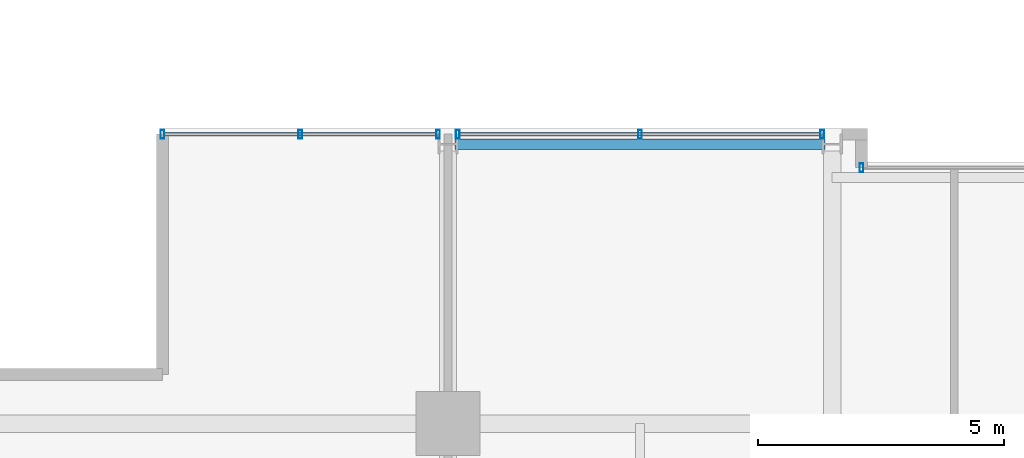
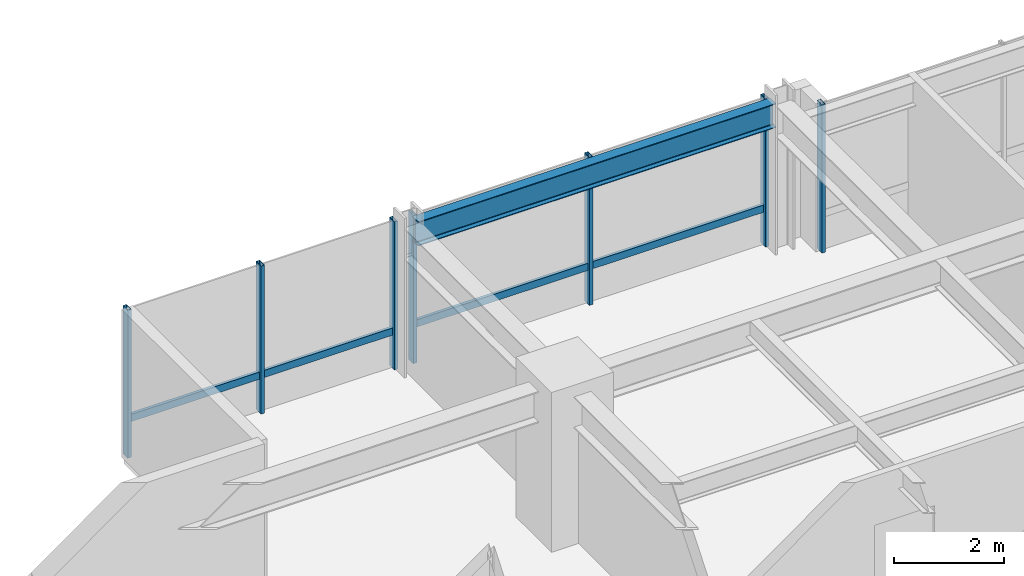
# One storey, part 21 of 34: 9 members, 1 beam, 3 elements without a shape of their own.
"""IFC4 building model written with IfcOpenShell, lengths in metres."""

import ifcopenshell
import ifcopenshell.guid

model = None  # the IFC model being written
_history = None  # IfcOwnerHistory: only IFC2X3 demands one
_inside = {}  # id of a spatial element -> (the spatial element, [elements in it])
_under = {}  # id of a project, library or spatial element -> (it, [spatial elements below it])
_declared = {}  # id of a project -> (the project, [libraries it declares])
_typed = {}  # id of a type object -> (the type object, [elements of that type])
_made_of = {}  # id of a material, layer set ... -> (it, [elements and type objects made of it])


def new_model(schema):
    """Start an empty IFC model of exactly this schema.

    Asked for "IFC4X3", IfcOpenShell would pick the latest addendum, in which some entities
    have other attributes; the version numbers below select the first issue.
    IFC2X3 requires an IfcOwnerHistory on every rooted entity: one is made here for all.
    """
    global model, _history
    if schema == "IFC4X3":
        model = ifcopenshell.file(schema_version=(4, 3, 0, 0))
    else:
        model = ifcopenshell.file(schema=schema)
    _inside.clear()
    _under.clear()
    _declared.clear()
    _typed.clear()
    _made_of.clear()
    _history = None
    if model.schema == "IFC2X3":
        org = make("IfcOrganization", Name="unknown")
        user = make(
            "IfcPersonAndOrganization",
            ThePerson=make("IfcPerson", FamilyName="unknown"),
            TheOrganization=org,
        )
        app = make(
            "IfcApplication",
            ApplicationDeveloper=org,
            Version="unknown",
            ApplicationFullName="unknown",
            ApplicationIdentifier="unknown",
        )
        _history = make(
            "IfcOwnerHistory",
            OwningUser=user,
            OwningApplication=app,
            ChangeAction="ADDED",
            CreationDate=0,
        )
    return model


def make(cls, **values):
    """One entity of the class cls with the attributes given. An attribute that is None is left unset."""
    return model.create_entity(
        cls, **{name: value for name, value in values.items() if value is not None}
    )


def rooted(cls, **values):
    """An entity with a GlobalId (a new one), such as an element, a storey or a relation."""
    return make(cls, GlobalId=ifcopenshell.guid.new(), OwnerHistory=_history, **values)


def si_unit(unit_type, name, prefix=None):
    """IfcSIUnit, for example si_unit("LENGTHUNIT", "METRE", prefix="MILLI")."""
    return make("IfcSIUnit", UnitType=unit_type, Prefix=prefix, Name=name)


def assignment(units):
    """IfcUnitAssignment: the units of a project."""
    return None if units is None else make("IfcUnitAssignment", Units=units)


def point(xyz):
    """IfcCartesianPoint."""
    return None if xyz is None else make("IfcCartesianPoint", Coordinates=xyz)


def direction(xyz):
    """IfcDirection."""
    return None if xyz is None else make("IfcDirection", DirectionRatios=xyz)


def frame(location, z_axis=None, x_axis=None):
    """IfcAxis2Placement3D, a coordinate frame: its origin and axes. An axis left out is left unset."""
    return make(
        "IfcAxis2Placement3D",
        Location=point(location),
        Axis=direction(z_axis),
        RefDirection=direction(x_axis),
    )


def frame_2d(location, x_axis=None):
    """IfcAxis2Placement2D, a coordinate frame in the plane: its origin and x axis."""
    return make(
        "IfcAxis2Placement2D", Location=point(location), RefDirection=direction(x_axis)
    )


def origin():
    """The frame at (0, 0, 0) with its axes left unset."""
    return frame((0.0, 0.0, 0.0))


def origin_2d():
    """The frame at (0, 0) in the plane with its x axis left unset."""
    return frame_2d((0.0, 0.0))


def place(relative_to, where):
    """IfcLocalPlacement: puts the frame where relative to a parent placement (None: the world)."""
    return make(
        "IfcLocalPlacement", PlacementRelTo=relative_to, RelativePlacement=where
    )


def context(
    kind, dimensions, precision=None, world=None, true_north=None, identifier=None
):
    """IfcGeometricRepresentationContext, for example the 3D "Model" context."""
    return make(
        "IfcGeometricRepresentationContext",
        ContextIdentifier=identifier,
        ContextType=kind,
        CoordinateSpaceDimension=dimensions,
        Precision=precision,
        WorldCoordinateSystem=world,
        TrueNorth=true_north,
    )


def subcontext(parent, identifier, kind, view, scale=None):
    """IfcGeometricRepresentationSubContext, for example "Body" below "Model"."""
    return make(
        "IfcGeometricRepresentationSubContext",
        ContextIdentifier=identifier,
        ContextType=kind,
        ParentContext=parent,
        TargetScale=scale,
        TargetView=view,
    )


def project(units=None, contexts=None):
    """IfcProject with its units and contexts."""
    return rooted(
        "IfcProject",
        Name="project",
        RepresentationContexts=contexts,
        UnitsInContext=assignment(units),
    )


def spatial(cls, under=None, at=None, **own):
    """A site, building, storey or space (cls), placed at a placement, below another one or the project."""
    s = rooted(cls, ObjectPlacement=at, **own)
    if under is not None:
        _under.setdefault(under.id(), (under, []))[1].append(s)
    return s


def profile(cls, at=None, kind="AREA", **sizes):
    """A parametric profile (cls). Its sizes go by their IFC names, for example OverallWidth=200.0."""
    return make(cls, ProfileType=kind, Position=at, **sizes)


def hollow_rectangle(**sizes):
    """IfcRectangleHollowProfileDef."""
    return profile("IfcRectangleHollowProfileDef", **sizes)


def i_section(**sizes):
    """IfcIShapeProfileDef."""
    return profile("IfcIShapeProfileDef", **sizes)


def extrude(swept, where, along, depth):
    """IfcExtrudedAreaSolid: the profile swept, set in the frame where, extruded along a direction by depth."""
    return make(
        "IfcExtrudedAreaSolid",
        SweptArea=swept,
        Position=where,
        ExtrudedDirection=direction(along),
        Depth=depth,
    )


def shape(context_of_items, identifier, shape_type, items):
    """IfcShapeRepresentation: the items that make up one representation, for example the "Body"."""
    return make(
        "IfcShapeRepresentation",
        ContextOfItems=context_of_items,
        RepresentationIdentifier=identifier,
        RepresentationType=shape_type,
        Items=items,
    )


def material(Name=None, Category=None):
    """IfcMaterial."""
    return make("IfcMaterial", Name=Name, Category=Category)


def layer(
    of_material, thickness, ventilated=None, Name=None, Category=None, Priority=None
):
    """IfcMaterialLayer: one layer of a wall or slab, of a material (None: an air gap)."""
    return make(
        "IfcMaterialLayer",
        Material=of_material,
        LayerThickness=thickness,
        IsVentilated=ventilated,
        Name=Name,
        Category=Category,
        Priority=Priority,
    )


def layer_set(layers, Name=None):
    """IfcMaterialLayerSet."""
    return make("IfcMaterialLayerSet", MaterialLayers=layers, LayerSetName=Name)


def material_profile(
    of_material, cross_section, Name=None, Category=None, Priority=None
):
    """IfcMaterialProfile: a cross section and its material."""
    return make(
        "IfcMaterialProfile",
        Name=Name,
        Material=of_material,
        Profile=cross_section,
        Priority=Priority,
        Category=Category,
    )


def profile_set(profiles, Name=None, composite=None):
    """IfcMaterialProfileSet."""
    return make(
        "IfcMaterialProfileSet",
        Name=Name,
        MaterialProfiles=profiles,
        CompositeProfile=composite,
    )


def made_of(thing, what):
    """Note that an element or type object is made of a material, layer set ...; save() writes the relation."""
    if what is not None:
        _made_of.setdefault(what.id(), (what, []))[1].append(thing)
    return thing


def type_object(cls, material=None, **own):
    """A type object (cls), such as IfcWallType, which elements share."""
    return made_of(rooted(cls, **own), material)


def element(
    cls,
    number,
    at=None,
    inside=None,
    cuts=None,
    type_object=None,
    material=None,
    context=None,
    identifier="Body",
    shape_type=None,
    held_by="IfcProductDefinitionShape",
    body=None,
    shapes=None,
    **own,
):
    """One element of the class cls, such as IfcWall. Its Tag is "e" and its number.

    at: its placement. inside: the storey or other place that contains it. cuts: it is an
    opening in that element (IfcRelVoidsElement). A single representation is given by context,
    identifier, shape_type and body (its items); several are given by shapes. held_by: the class
    of the entity that holds the representations. save() writes the other relations.
    """
    e = rooted(cls, Tag="e%d" % number, ObjectPlacement=at, **own)
    if body is not None:
        shapes = [shape(context, identifier, shape_type, body)]
    if shapes is not None:
        e.Representation = make(held_by, Representations=shapes)
    if inside is not None:
        _inside.setdefault(inside.id(), (inside, []))[1].append(e)
    if cuts is not None:
        rooted(
            "IfcRelVoidsElement", RelatingBuildingElement=cuts, RelatedOpeningElement=e
        )
    if type_object is not None:
        _typed.setdefault(type_object.id(), (type_object, []))[1].append(e)
    return made_of(e, material)


def aggregate(whole, parts):
    """IfcRelAggregates: a whole, such as a stair, and the parts it consists of."""
    return rooted("IfcRelAggregates", RelatingObject=whole, RelatedObjects=parts)


def save(model, path):
    """Write the relations noted so far, then the file.

    IfcRelAggregates (storeys below a building ...), IfcRelContainedInSpatialStructure (elements
    in a storey), IfcRelDefinesByType, IfcRelAssociatesMaterial and IfcRelDeclares: one each for
    every whole, place, type object, material and project.
    """
    for whole, parts in _under.values():
        aggregate(whole, parts)
    for where, things in _inside.values():
        rooted(
            "IfcRelContainedInSpatialStructure",
            RelatedElements=things,
            RelatingStructure=where,
        )
    for kind, things in _typed.values():
        rooted("IfcRelDefinesByType", RelatedObjects=things, RelatingType=kind)
    for what, things in _made_of.values():
        rooted("IfcRelAssociatesMaterial", RelatedObjects=things, RelatingMaterial=what)
    for by, libraries in _declared.values():
        rooted("IfcRelDeclares", RelatingContext=by, RelatedDefinitions=libraries)
    model.write(path)


model = new_model("IFC4")

# Units and contexts
model_context = context("Model", 3, precision=1e-05, world=origin(), true_north=direction((0.0, 1.0)))
body_context = subcontext(model_context, "Body", "Model", "MODEL_VIEW")
ifc_project = project(units=[si_unit("LENGTHUNIT", "METRE"), si_unit("AREAUNIT", "SQUARE_METRE"), si_unit("VOLUMEUNIT", "CUBIC_METRE"), si_unit("PLANEANGLEUNIT", "RADIAN"), si_unit("MASSUNIT", "GRAM", prefix="KILO")], contexts=[model_context])

# Site, building, storey
site_placement = place(None, origin())
site = spatial("IfcSite", under=ifc_project, at=site_placement, CompositionType="ELEMENT")
building_placement = place(site_placement, origin())
building = spatial("IfcBuilding", under=site, at=building_placement, Name="Drelvath Grand Hotel", CompositionType="ELEMENT")
storey_placement = place(building_placement, frame((0.0, 0.0, 175.25)))
storey = spatial("IfcBuildingStorey", under=building, at=storey_placement, Name="L45", CompositionType="ELEMENT", Elevation=175.25)

# Curtain wall, member
ifc_material_1 = material(Name="Brushed Pale-Silver Anodised Aluminium Frame", Category="aluminium")
ifc_layer = layer(ifc_material_1, 0.199951171875)
ifc_layer_set = layer_set([ifc_layer], Name="Brushed Pale-Silver Anodised Aluminium Frame")
curtain_wall_type = type_object("IfcCurtainWallType", Name="Stick Curtain Wall CW-04 Brushed Silver Upper-Mid", PredefinedType="NOTDEFINED", material=ifc_layer_set)
curtain_wall_1_placement = place(storey_placement, origin())
curtain_wall_1 = element("IfcCurtainWall", 1, at=curtain_wall_1_placement, inside=storey, type_object=curtain_wall_type, Name="L45 CW-04 Curtain Wall CW04-L45-NW1", PredefinedType="NOTDEFINED")
ifc_material_profile_1 = material_profile(ifc_material_1, hollow_rectangle(XDim=0.06494140625, YDim=0.159912109375, WallThickness=0.00390625, at=origin_2d()), Name="HSS160X65X4")
ifc_profile_set_1 = profile_set([ifc_material_profile_1], Name="Brushed Pale-Silver Anodised Aluminium Frame")
member_type_1 = type_object("IfcMemberType", Name="Curtain Wall Horizontal Transom CW-04 HSS160X65X4", PredefinedType="USERDEFINED", material=ifc_profile_set_1)
member_1_placement = place(storey_placement, frame((-21.9599609375, 49.080078125, 0.822509765625), z_axis=(1.0, 0.0, 0.0), x_axis=(0.0, 1.0, 0.0)))
member_1 = element("IfcMember", 2, at=member_1_placement, type_object=member_type_1, Name="CW04-L45-NW1 Sill Transom", ObjectType="TRANSOM", PredefinedType="USERDEFINED", context=body_context, shape_type="SweptSolid", body=[
    extrude(hollow_rectangle(XDim=0.06494140625, YDim=0.159912109375, WallThickness=0.00390625, at=origin_2d()), origin(), (0.0, 0.0, 1.0), 5.519775390625),
])

curtain_wall_2_placement = place(storey_placement, origin())
curtain_wall_2 = element("IfcCurtainWall", 3, at=curtain_wall_2_placement, inside=storey, type_object=curtain_wall_type, Name="L45 CW-04 Curtain Wall CW04-L45-NW2", PredefinedType="NOTDEFINED")
member_2_placement = place(storey_placement, frame((-15.9599609375, 49.080078125, 0.822509765625), z_axis=(1.0, 0.0, 0.0), x_axis=(0.0, 1.0, 0.0)))
member_2 = element("IfcMember", 4, at=member_2_placement, type_object=member_type_1, Name="CW04-L45-NW2 Sill Transom", ObjectType="TRANSOM", PredefinedType="USERDEFINED", context=body_context, shape_type="SweptSolid", body=[
    extrude(hollow_rectangle(XDim=0.06494140625, YDim=0.159912109375, WallThickness=0.00390625, at=origin_2d()), origin(), (0.0, 0.0, 1.0), 7.31982421875),
])

# Member
ifc_material_profile_2 = material_profile(ifc_material_1, hollow_rectangle(XDim=0.074951171875, YDim=0.179931640625, WallThickness=0.0048828125, at=origin_2d()), Name="HSS180X75X5")
ifc_profile_set_2 = profile_set([ifc_material_profile_2], Name="Brushed Pale-Silver Anodised Aluminium Frame")
member_type_2 = type_object("IfcMemberType", Name="Curtain Wall Vertical Mullion CW-04 HSS180X75X5", PredefinedType="MULLION", material=ifc_profile_set_2)
member_3_placement = place(storey_placement, frame((-22.0, 49.080078125, 0.0), z_axis=(0.0, 0.0, 1.0), x_axis=(1.0, 0.0, 0.0)))
member_3 = element("IfcMember", 5, at=member_3_placement, type_object=member_type_2, Name="CW04-L45-NW1 Mullion 1", PredefinedType="MULLION", context=body_context, shape_type="SweptSolid", body=[
    extrude(hollow_rectangle(XDim=0.074951171875, YDim=0.179931640625, WallThickness=0.0048828125, at=origin_2d()), origin(), (0.0, 0.0, 1.0), 3.2900390625),
])

member_4_placement = place(storey_placement, frame((-19.199951171875, 49.080078125, 0.0), z_axis=(0.0, 0.0, 1.0), x_axis=(1.0, 0.0, 0.0)))
member_4 = element("IfcMember", 6, at=member_4_placement, type_object=member_type_2, Name="CW04-L45-NW1 Mullion 2", PredefinedType="MULLION", context=body_context, shape_type="SweptSolid", body=[
    extrude(hollow_rectangle(XDim=0.074951171875, YDim=0.179931640625, WallThickness=0.0048828125, at=origin_2d()), origin(), (0.0, 0.0, 1.0), 3.2900390625),
])

member_5_placement = place(storey_placement, frame((-16.400146484375, 49.080078125, 0.0), z_axis=(0.0, 0.0, 1.0), x_axis=(1.0, 0.0, 0.0)))
member_5 = element("IfcMember", 7, at=member_5_placement, type_object=member_type_2, Name="CW04-L45-NW1 Mullion 3", PredefinedType="MULLION", context=body_context, shape_type="SweptSolid", body=[
    extrude(hollow_rectangle(XDim=0.074951171875, YDim=0.179931640625, WallThickness=0.0048828125, at=origin_2d()), origin(), (0.0, 0.0, 1.0), 3.2900390625),
])

aggregate(curtain_wall_1, [member_3, member_4, member_5, member_1])

member_6_placement = place(storey_placement, frame((-16.0, 49.080078125, 0.0), z_axis=(0.0, 0.0, 1.0), x_axis=(1.0, 0.0, 0.0)))
member_6 = element("IfcMember", 8, at=member_6_placement, type_object=member_type_2, Name="CW04-L45-NW2 Mullion 1", PredefinedType="MULLION", context=body_context, shape_type="SweptSolid", body=[
    extrude(hollow_rectangle(XDim=0.074951171875, YDim=0.179931640625, WallThickness=0.0048828125, at=origin_2d()), origin(), (0.0, 0.0, 1.0), 3.2900390625),
])

member_7_placement = place(storey_placement, frame((-12.300048828125, 49.080078125, 0.0), z_axis=(0.0, 0.0, 1.0), x_axis=(1.0, 0.0, 0.0)))
member_7 = element("IfcMember", 9, at=member_7_placement, type_object=member_type_2, Name="CW04-L45-NW2 Mullion 2", PredefinedType="MULLION", context=body_context, shape_type="SweptSolid", body=[
    extrude(hollow_rectangle(XDim=0.074951171875, YDim=0.179931640625, WallThickness=0.0048828125, at=origin_2d()), origin(), (0.0, 0.0, 1.0), 3.2900390625),
])

member_8_placement = place(storey_placement, frame((-8.60009765625, 49.080078125, 0.0), z_axis=(0.0, 0.0, 1.0), x_axis=(1.0, 0.0, 0.0)))
member_8 = element("IfcMember", 10, at=member_8_placement, type_object=member_type_2, Name="CW04-L45-NW2 Mullion 3", PredefinedType="MULLION", context=body_context, shape_type="SweptSolid", body=[
    extrude(hollow_rectangle(XDim=0.074951171875, YDim=0.179931640625, WallThickness=0.0048828125, at=origin_2d()), origin(), (0.0, 0.0, 1.0), 3.2900390625),
])

aggregate(curtain_wall_2, [member_6, member_7, member_8, member_2])

# Curtain wall, member
curtain_wall_3_placement = place(storey_placement, origin())
curtain_wall_3 = element("IfcCurtainWall", 11, at=curtain_wall_3_placement, inside=storey, type_object=curtain_wall_type, Name="L45 CW-04 Curtain Wall CW04-L45-NM1", PredefinedType="NOTDEFINED")
member_9_placement = place(storey_placement, frame((-7.800048828125, 48.39990234375, 0.0), z_axis=(0.0, 0.0, 1.0), x_axis=(1.0, 0.0, 0.0)))
member_9 = element("IfcMember", 12, at=member_9_placement, type_object=member_type_2, Name="CW04-L45-NM1 Mullion 1", PredefinedType="MULLION", context=body_context, shape_type="SweptSolid", body=[
    extrude(hollow_rectangle(XDim=0.074951171875, YDim=0.179931640625, WallThickness=0.0048828125, at=origin_2d()), origin(), (0.0, 0.0, 1.0), 3.2900390625),
])
aggregate(curtain_wall_3, [member_9])

# Beam
ifc_material_2 = material(Name="Steel ASTM A992 Gr 50", Category="steel")
ifc_material_profile_3 = material_profile(ifc_material_2, i_section(OverallWidth=0.210205078125, OverallDepth=0.53662109375, WebThickness=0.010986328125, FlangeThickness=0.017333984375, FilletRadius=0.01806640625, at=origin_2d()), Name="W21X68")
ifc_profile_set_3 = profile_set([ifc_material_profile_3], Name="Steel ASTM A992 Gr 50")
beam_type = type_object("IfcBeamType", Name="Perimeter Spandrel Beam W21X68", PredefinedType="SPANDREL", material=ifc_profile_set_3)
beam_placement = place(storey_placement, frame((-16.06005859375, 48.8798828125, 3.021484375), z_axis=(1.0, 0.0, 0.0), x_axis=(0.0, 1.0, 0.0)))
element("IfcBeam", 13, at=beam_placement, inside=storey, type_object=beam_type, Name="L45 Spandrel North W", PredefinedType="SPANDREL", context=body_context, shape_type="SweptSolid", body=[
    extrude(i_section(OverallWidth=0.210205078125, OverallDepth=0.53662109375, WebThickness=0.010986328125, FlangeThickness=0.017333984375, FilletRadius=0.01806640625, at=origin_2d()), origin(), (0.0, 0.0, 1.0), 7.52001953125),
])

save(model, "model.ifc")
